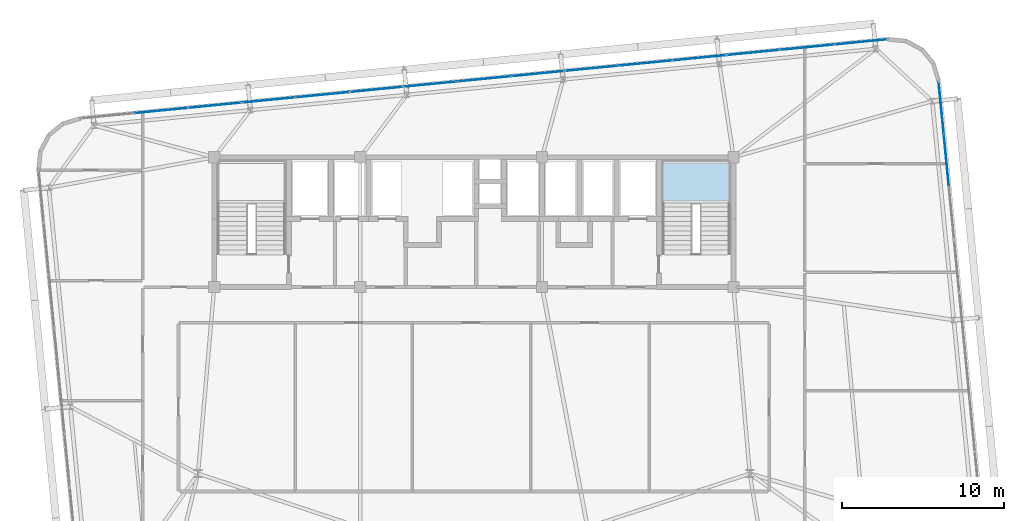
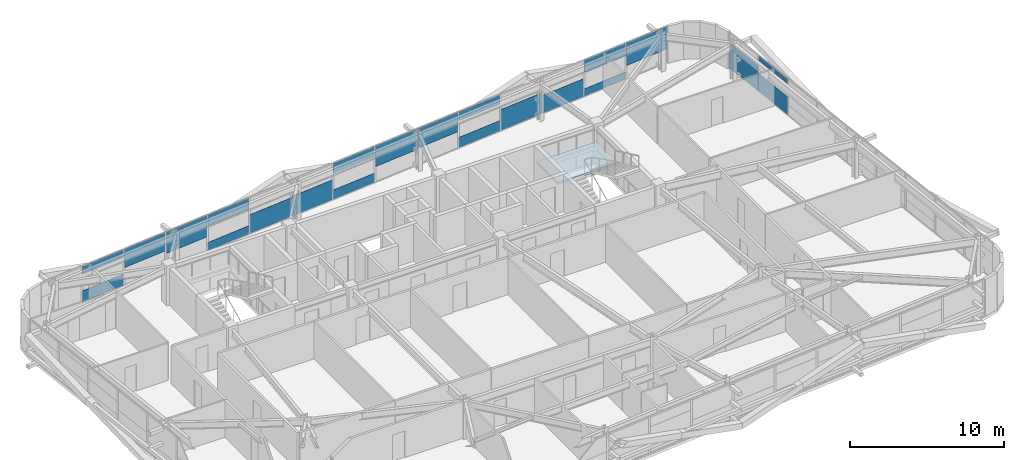
# One storey, part 37 of 52: 22 plates, 1 slab, 3 elements without a shape of their own.
"""IFC4 building model written with IfcOpenShell, lengths in metres."""

import ifcopenshell
import ifcopenshell.guid

model = None  # the IFC model being written
_history = None  # IfcOwnerHistory: only IFC2X3 demands one
_inside = {}  # id of a spatial element -> (the spatial element, [elements in it])
_under = {}  # id of a project, library or spatial element -> (it, [spatial elements below it])
_declared = {}  # id of a project -> (the project, [libraries it declares])
_typed = {}  # id of a type object -> (the type object, [elements of that type])
_made_of = {}  # id of a material, layer set ... -> (it, [elements and type objects made of it])


def new_model(schema):
    """Start an empty IFC model of exactly this schema.

    Asked for "IFC4X3", IfcOpenShell would pick the latest addendum, in which some entities
    have other attributes; the version numbers below select the first issue.
    IFC2X3 requires an IfcOwnerHistory on every rooted entity: one is made here for all.
    """
    global model, _history
    if schema == "IFC4X3":
        model = ifcopenshell.file(schema_version=(4, 3, 0, 0))
    else:
        model = ifcopenshell.file(schema=schema)
    _inside.clear()
    _under.clear()
    _declared.clear()
    _typed.clear()
    _made_of.clear()
    _history = None
    if model.schema == "IFC2X3":
        org = make("IfcOrganization", Name="unknown")
        user = make(
            "IfcPersonAndOrganization",
            ThePerson=make("IfcPerson", FamilyName="unknown"),
            TheOrganization=org,
        )
        app = make(
            "IfcApplication",
            ApplicationDeveloper=org,
            Version="unknown",
            ApplicationFullName="unknown",
            ApplicationIdentifier="unknown",
        )
        _history = make(
            "IfcOwnerHistory",
            OwningUser=user,
            OwningApplication=app,
            ChangeAction="ADDED",
            CreationDate=0,
        )
    return model


def make(cls, **values):
    """One entity of the class cls with the attributes given. An attribute that is None is left unset."""
    return model.create_entity(
        cls, **{name: value for name, value in values.items() if value is not None}
    )


def rooted(cls, **values):
    """An entity with a GlobalId (a new one), such as an element, a storey or a relation."""
    return make(cls, GlobalId=ifcopenshell.guid.new(), OwnerHistory=_history, **values)


def si_unit(unit_type, name, prefix=None):
    """IfcSIUnit, for example si_unit("LENGTHUNIT", "METRE", prefix="MILLI")."""
    return make("IfcSIUnit", UnitType=unit_type, Prefix=prefix, Name=name)


def assignment(units):
    """IfcUnitAssignment: the units of a project."""
    return None if units is None else make("IfcUnitAssignment", Units=units)


def point(xyz):
    """IfcCartesianPoint."""
    return None if xyz is None else make("IfcCartesianPoint", Coordinates=xyz)


def direction(xyz):
    """IfcDirection."""
    return None if xyz is None else make("IfcDirection", DirectionRatios=xyz)


def frame(location, z_axis=None, x_axis=None):
    """IfcAxis2Placement3D, a coordinate frame: its origin and axes. An axis left out is left unset."""
    return make(
        "IfcAxis2Placement3D",
        Location=point(location),
        Axis=direction(z_axis),
        RefDirection=direction(x_axis),
    )


def frame_2d(location, x_axis=None):
    """IfcAxis2Placement2D, a coordinate frame in the plane: its origin and x axis."""
    return make(
        "IfcAxis2Placement2D", Location=point(location), RefDirection=direction(x_axis)
    )


def origin():
    """The frame at (0, 0, 0) with its axes left unset."""
    return frame((0.0, 0.0, 0.0))


def origin_2d():
    """The frame at (0, 0) in the plane with its x axis left unset."""
    return frame_2d((0.0, 0.0))


def place(relative_to, where):
    """IfcLocalPlacement: puts the frame where relative to a parent placement (None: the world)."""
    return make(
        "IfcLocalPlacement", PlacementRelTo=relative_to, RelativePlacement=where
    )


def context(
    kind, dimensions, precision=None, world=None, true_north=None, identifier=None
):
    """IfcGeometricRepresentationContext, for example the 3D "Model" context."""
    return make(
        "IfcGeometricRepresentationContext",
        ContextIdentifier=identifier,
        ContextType=kind,
        CoordinateSpaceDimension=dimensions,
        Precision=precision,
        WorldCoordinateSystem=world,
        TrueNorth=true_north,
    )


def subcontext(parent, identifier, kind, view, scale=None):
    """IfcGeometricRepresentationSubContext, for example "Body" below "Model"."""
    return make(
        "IfcGeometricRepresentationSubContext",
        ContextIdentifier=identifier,
        ContextType=kind,
        ParentContext=parent,
        TargetScale=scale,
        TargetView=view,
    )


def project(units=None, contexts=None):
    """IfcProject with its units and contexts."""
    return rooted(
        "IfcProject",
        Name="project",
        RepresentationContexts=contexts,
        UnitsInContext=assignment(units),
    )


def spatial(cls, under=None, at=None, **own):
    """A site, building, storey or space (cls), placed at a placement, below another one or the project."""
    s = rooted(cls, ObjectPlacement=at, **own)
    if under is not None:
        _under.setdefault(under.id(), (under, []))[1].append(s)
    return s


def polyline(points):
    """IfcPolyline through the points."""
    return make("IfcPolyline", Points=[point(p) for p in points])


def profile(cls, at=None, kind="AREA", **sizes):
    """A parametric profile (cls). Its sizes go by their IFC names, for example OverallWidth=200.0."""
    return make(cls, ProfileType=kind, Position=at, **sizes)


def rectangle(**sizes):
    """IfcRectangleProfileDef."""
    return profile("IfcRectangleProfileDef", **sizes)


def outline(outer, holes=None, kind="AREA"):
    """IfcArbitraryClosedProfileDef: a profile drawn as a closed curve; with holes, ...WithVoids."""
    if holes is None:
        return make("IfcArbitraryClosedProfileDef", ProfileType=kind, OuterCurve=outer)
    return make(
        "IfcArbitraryProfileDefWithVoids",
        ProfileType=kind,
        OuterCurve=outer,
        InnerCurves=holes,
    )


def extrude(swept, where, along, depth):
    """IfcExtrudedAreaSolid: the profile swept, set in the frame where, extruded along a direction by depth."""
    return make(
        "IfcExtrudedAreaSolid",
        SweptArea=swept,
        Position=where,
        ExtrudedDirection=direction(along),
        Depth=depth,
    )


def shape(context_of_items, identifier, shape_type, items):
    """IfcShapeRepresentation: the items that make up one representation, for example the "Body"."""
    return make(
        "IfcShapeRepresentation",
        ContextOfItems=context_of_items,
        RepresentationIdentifier=identifier,
        RepresentationType=shape_type,
        Items=items,
    )


def source(mapping_origin, context_of_items, identifier, shape_type, items):
    """IfcRepresentationMap: a shape defined once, which mapped items show again and again."""
    return make(
        "IfcRepresentationMap",
        MappingOrigin=mapping_origin,
        MappedRepresentation=shape(context_of_items, identifier, shape_type, items),
    )


def transform(
    local_origin,
    x_axis=None,
    y_axis=None,
    z_axis=None,
    scale=None,
    scale2=None,
    scale3=None,
    uniform=True,
):
    """IfcCartesianTransformationOperator3D, or its non-uniform kind. x_axis, y_axis, z_axis: its Axis1, 2, 3."""
    if uniform:
        return make(
            "IfcCartesianTransformationOperator3D",
            Axis1=direction(x_axis),
            Axis2=direction(y_axis),
            LocalOrigin=point(local_origin),
            Scale=scale,
            Axis3=direction(z_axis),
        )
    return make(
        "IfcCartesianTransformationOperator3DnonUniform",
        Axis1=direction(x_axis),
        Axis2=direction(y_axis),
        LocalOrigin=point(local_origin),
        Scale=scale,
        Axis3=direction(z_axis),
        Scale2=scale2,
        Scale3=scale3,
    )


def mapped(mapping_source, mapping_target):
    """IfcMappedItem: shows the shape of a source again, moved by a transform."""
    return make(
        "IfcMappedItem", MappingSource=mapping_source, MappingTarget=mapping_target
    )


def material(Name=None, Category=None):
    """IfcMaterial."""
    return make("IfcMaterial", Name=Name, Category=Category)


def layer(
    of_material, thickness, ventilated=None, Name=None, Category=None, Priority=None
):
    """IfcMaterialLayer: one layer of a wall or slab, of a material (None: an air gap)."""
    return make(
        "IfcMaterialLayer",
        Material=of_material,
        LayerThickness=thickness,
        IsVentilated=ventilated,
        Name=Name,
        Category=Category,
        Priority=Priority,
    )


def layer_set(layers, Name=None):
    """IfcMaterialLayerSet."""
    return make("IfcMaterialLayerSet", MaterialLayers=layers, LayerSetName=Name)


def made_of(thing, what):
    """Note that an element or type object is made of a material, layer set ...; save() writes the relation."""
    if what is not None:
        _made_of.setdefault(what.id(), (what, []))[1].append(thing)
    return thing


def type_object(cls, material=None, **own):
    """A type object (cls), such as IfcWallType, which elements share."""
    return made_of(rooted(cls, **own), material)


def element(
    cls,
    number,
    at=None,
    inside=None,
    cuts=None,
    type_object=None,
    material=None,
    context=None,
    identifier="Body",
    shape_type=None,
    held_by="IfcProductDefinitionShape",
    body=None,
    shapes=None,
    **own,
):
    """One element of the class cls, such as IfcWall. Its Tag is "e" and its number.

    at: its placement. inside: the storey or other place that contains it. cuts: it is an
    opening in that element (IfcRelVoidsElement). A single representation is given by context,
    identifier, shape_type and body (its items); several are given by shapes. held_by: the class
    of the entity that holds the representations. save() writes the other relations.
    """
    e = rooted(cls, Tag="e%d" % number, ObjectPlacement=at, **own)
    if body is not None:
        shapes = [shape(context, identifier, shape_type, body)]
    if shapes is not None:
        e.Representation = make(held_by, Representations=shapes)
    if inside is not None:
        _inside.setdefault(inside.id(), (inside, []))[1].append(e)
    if cuts is not None:
        rooted(
            "IfcRelVoidsElement", RelatingBuildingElement=cuts, RelatedOpeningElement=e
        )
    if type_object is not None:
        _typed.setdefault(type_object.id(), (type_object, []))[1].append(e)
    return made_of(e, material)


def aggregate(whole, parts):
    """IfcRelAggregates: a whole, such as a stair, and the parts it consists of."""
    return rooted("IfcRelAggregates", RelatingObject=whole, RelatedObjects=parts)


def save(model, path):
    """Write the relations noted so far, then the file.

    IfcRelAggregates (storeys below a building ...), IfcRelContainedInSpatialStructure (elements
    in a storey), IfcRelDefinesByType, IfcRelAssociatesMaterial and IfcRelDeclares: one each for
    every whole, place, type object, material and project.
    """
    for whole, parts in _under.values():
        aggregate(whole, parts)
    for where, things in _inside.values():
        rooted(
            "IfcRelContainedInSpatialStructure",
            RelatedElements=things,
            RelatingStructure=where,
        )
    for kind, things in _typed.values():
        rooted("IfcRelDefinesByType", RelatedObjects=things, RelatingType=kind)
    for what, things in _made_of.values():
        rooted("IfcRelAssociatesMaterial", RelatedObjects=things, RelatingMaterial=what)
    for by, libraries in _declared.values():
        rooted("IfcRelDeclares", RelatingContext=by, RelatedDefinitions=libraries)
    model.write(path)


model = new_model("IFC4")

# Units and contexts
model_context = context("Model", 3, precision=1e-05, world=origin(), true_north=direction((0.0, 1.0)))
body_context = subcontext(model_context, "Body", "Model", "MODEL_VIEW")
ifc_project = project(units=[si_unit("LENGTHUNIT", "METRE"), si_unit("AREAUNIT", "SQUARE_METRE"), si_unit("VOLUMEUNIT", "CUBIC_METRE"), si_unit("PLANEANGLEUNIT", "RADIAN"), si_unit("MASSUNIT", "GRAM", prefix="KILO")], contexts=[model_context])

# Site, building, storey
site_placement = place(None, origin())
site = spatial("IfcSite", under=ifc_project, at=site_placement, CompositionType="ELEMENT")
building_placement = place(site_placement, origin())
building = spatial("IfcBuilding", under=site, at=building_placement, Name="Taldren Reach Tower", CompositionType="ELEMENT")
storey_placement = place(building_placement, frame((0.0, 0.0, 96.60009765625)))
storey = spatial("IfcBuildingStorey", under=building, at=storey_placement, Name="L29", CompositionType="ELEMENT", Elevation=96.60009765625)

# Stair, slab
ifc_material_1 = material(Name="Concrete S50 (50 MPa)", Category="concrete")
stair_type = type_object("IfcStairType", Name="ST-HT-315", PredefinedType="HALF_TURN_STAIR", material=ifc_material_1)
stair_placement = place(storey_placement, origin())
stair = element("IfcStair", 1, at=stair_placement, inside=storey, type_object=stair_type, Name="Fire-isolated exit stair ST2 L29", PredefinedType="HALF_TURN_STAIR")
ifc_layer_1 = layer(ifc_material_1, 0.179931640625)
ifc_layer_set_1 = layer_set([ifc_layer_1], Name="Concrete S50 (50 MPa)")
slab_type = type_object("IfcSlabType", Name="SL-LAND-180", PredefinedType="LANDING", material=ifc_layer_set_1)
slab_placement = place(storey_placement, frame((0.0, 0.0, 1.39501953125)))
slab = element("IfcSlab", 2, at=slab_placement, type_object=slab_type, Name="ST2 landing 1", PredefinedType="LANDING", context=body_context, shape_type="SweptSolid", body=[
    extrude(outline(polyline([(46.43994140625, 29.135009765625), (50.9599609375, 29.135009765625), (50.9599609375, 31.8701171875), (46.43994140625, 31.8701171875), (46.43994140625, 29.135009765625)])), origin(), (0.0, 0.0, 1.0), 0.179931640625),
])
aggregate(stair, [slab])

# Curtain wall, plates
ifc_material_2 = material(Name="Aluminium and Low-E Glass Unitised System", Category="aluminium")
ifc_layer_2 = layer(ifc_material_2, 0.159912109375)
ifc_layer_set_2 = layer_set([ifc_layer_2], Name="Aluminium and Low-E Glass Unitised System")
curtain_wall_type = type_object("IfcCurtainWallType", Name="CW-SYS-3", PredefinedType="NOTDEFINED", material=ifc_layer_set_2)
curtain_wall_1_placement = place(storey_placement, origin())
curtain_wall_1 = element("IfcCurtainWall", 3, at=curtain_wall_1_placement, inside=storey, type_object=curtain_wall_type, Name="Unitised curtain wall CW-L29-N", PredefinedType="NOTDEFINED")
ifc_material_3 = material(Name="Solar-Control Double Glazed IGU", Category="glass")
ifc_layer_3 = layer(ifc_material_3, 0.031982421875)
ifc_layer_set_3 = layer_set([ifc_layer_3], Name="Solar-Control Double Glazed IGU")
plate_type = type_object("IfcPlateType", Name="CW-PNL-IGU32", PredefinedType="CURTAIN_PANEL", material=ifc_layer_set_3)
shared_shape_1 = source(origin(), body_context, "Body", "SweptSolid", [
    extrude(rectangle(XDim=3.268310546875, YDim=0.031982421875, at=origin_2d()), origin(), (0.0, 0.0, 1.0), 0.88818359375),
])
plate_1_placement = place(storey_placement, frame((15.72705078125, 34.874267578125, 0.054931640625), z_axis=(0.0, 0.0, 1.0), x_axis=(-0.995227390247, -0.097582999046, 0.0)))
plate_1 = element("IfcPlate", 4, at=plate_1_placement, type_object=plate_type, Name="CW-3 panel 14.1 part 1", PredefinedType="CURTAIN_PANEL", context=body_context, shape_type="MappedRepresentation", body=[
    mapped(shared_shape_1, transform((0.0, 0.0, 0.0), scale=1.0)),
])
shared_shape_2 = source(origin(), body_context, "Body", "SweptSolid", [
    extrude(rectangle(XDim=3.268310546875, YDim=0.031982421875, at=origin_2d()), origin(), (0.0, 0.0, 1.0), 0.626953125),
])
plate_2_placement = place(storey_placement, frame((15.72705078125, 34.874267578125, 2.248046875), z_axis=(0.0, 0.0, 1.0), x_axis=(-0.995227390247, -0.097582999046, 0.0)))
plate_2 = element("IfcPlate", 5, at=plate_2_placement, type_object=plate_type, Name="CW-3 panel 14.1 part 2", PredefinedType="CURTAIN_PANEL", context=body_context, shape_type="MappedRepresentation", body=[
    mapped(shared_shape_2, transform((0.0, 0.0, 0.0), scale=1.0)),
])
shared_shape_3 = source(origin(), body_context, "Body", "SweptSolid", [
    extrude(rectangle(XDim=3.268310546875, YDim=0.031982421875, at=origin_2d()), origin(), (0.0, 0.0, 1.0), 1.4638671875),
])
plate_3_placement = place(storey_placement, frame((19.04443359375, 35.199462890625, 1.4111328125), z_axis=(0.0, 0.0, 1.0), x_axis=(-0.995227390247, -0.097582999046, 0.0)))
plate_3 = element("IfcPlate", 6, at=plate_3_placement, type_object=plate_type, Name="CW-3 panel 13.1 part 1", PredefinedType="CURTAIN_PANEL", context=body_context, shape_type="MappedRepresentation", body=[
    mapped(shared_shape_3, transform((0.0, 0.0, 0.0), scale=1.0)),
])
shared_shape_4 = source(origin(), body_context, "Body", "SweptSolid", [
    extrude(rectangle(XDim=3.268310546875, YDim=0.031982421875, at=origin_2d()), origin(), (0.0, 0.0, 1.0), 1.704833984375),
])
plate_4_placement = place(storey_placement, frame((22.36181640625, 35.52490234375, 1.169921875), z_axis=(0.0, 0.0, 1.0), x_axis=(-0.995227390247, -0.097582999046, 0.0)))
plate_4 = element("IfcPlate", 7, at=plate_4_placement, type_object=plate_type, Name="CW-3 panel 12.1 part 1", PredefinedType="CURTAIN_PANEL", context=body_context, shape_type="MappedRepresentation", body=[
    mapped(shared_shape_4, transform((0.0, 0.0, 0.0), scale=1.0)),
])
shared_shape_5 = source(origin(), body_context, "Body", "SweptSolid", [
    extrude(rectangle(XDim=3.268310546875, YDim=0.031982421875, at=origin_2d()), origin(), (0.0, 0.0, 1.0), 0.647216796875),
])
plate_5_placement = place(storey_placement, frame((25.67919921875, 35.85009765625, 0.05517578125), z_axis=(0.0, 0.0, 1.0), x_axis=(-0.995227390247, -0.097582999046, 0.0)))
plate_5 = element("IfcPlate", 8, at=plate_5_placement, type_object=plate_type, Name="CW-3 panel 11.1 part 1", PredefinedType="CURTAIN_PANEL", context=body_context, shape_type="MappedRepresentation", body=[
    mapped(shared_shape_5, transform((0.0, 0.0, 0.0), scale=1.0)),
])
shared_shape_6 = source(origin(), body_context, "Body", "SweptSolid", [
    extrude(rectangle(XDim=3.268310546875, YDim=0.031982421875, at=origin_2d()), origin(), (0.0, 0.0, 1.0), 0.867919921875),
])
plate_6_placement = place(storey_placement, frame((25.67919921875, 35.85009765625, 2.0068359375), z_axis=(0.0, 0.0, 1.0), x_axis=(-0.995227390247, -0.097582999046, 0.0)))
plate_6 = element("IfcPlate", 9, at=plate_6_placement, type_object=plate_type, Name="CW-3 panel 11.1 part 2", PredefinedType="CURTAIN_PANEL", context=body_context, shape_type="MappedRepresentation", body=[
    mapped(shared_shape_6, transform((0.0, 0.0, 0.0), scale=1.0)),
])
shared_shape_7 = source(origin(), body_context, "Body", "SweptSolid", [
    extrude(rectangle(XDim=3.268310546875, YDim=0.031982421875, at=origin_2d()), origin(), (0.0, 0.0, 1.0), 1.484130859375),
])
plate_7_placement = place(storey_placement, frame((28.996826171875, 36.17529296875, 0.0546875), z_axis=(0.0, 0.0, 1.0), x_axis=(-0.995227390247, -0.097582999046, 0.0)))
plate_7 = element("IfcPlate", 10, at=plate_7_placement, type_object=plate_type, Name="CW-3 panel 10.1 part 1", PredefinedType="CURTAIN_PANEL", context=body_context, shape_type="MappedRepresentation", body=[
    mapped(shared_shape_7, transform((0.0, 0.0, 0.0), scale=1.0)),
])
shared_shape_8 = source(origin(), body_context, "Body", "SweptSolid", [
    extrude(rectangle(XDim=3.268310546875, YDim=0.031982421875, at=origin_2d()), origin(), (0.0, 0.0, 1.0), 1.564453125),
])
plate_8_placement = place(storey_placement, frame((32.314208984375, 36.500732421875, 0.054931640625), z_axis=(0.0, 0.0, 1.0), x_axis=(-0.995227390247, -0.097582999046, 0.0)))
plate_8 = element("IfcPlate", 11, at=plate_8_placement, type_object=plate_type, Name="CW-3 panel 9.1 part 1", PredefinedType="CURTAIN_PANEL", context=body_context, shape_type="MappedRepresentation", body=[
    mapped(shared_shape_8, transform((0.0, 0.0, 0.0), scale=1.0)),
])
shared_shape_9 = source(origin(), body_context, "Body", "SweptSolid", [
    extrude(rectangle(XDim=3.268310546875, YDim=0.031982421875, at=origin_2d()), origin(), (0.0, 0.0, 1.0), 0.7275390625),
])
plate_9_placement = place(storey_placement, frame((35.631591796875, 36.825927734375, 0.054931640625), z_axis=(0.0, 0.0, 1.0), x_axis=(-0.995227390247, -0.097582999046, 0.0)))
plate_9 = element("IfcPlate", 12, at=plate_9_placement, type_object=plate_type, Name="CW-3 panel 8.1 part 1", PredefinedType="CURTAIN_PANEL", context=body_context, shape_type="MappedRepresentation", body=[
    mapped(shared_shape_9, transform((0.0, 0.0, 0.0), scale=1.0)),
])
shared_shape_10 = source(origin(), body_context, "Body", "SweptSolid", [
    extrude(rectangle(XDim=3.268310546875, YDim=0.031982421875, at=origin_2d()), origin(), (0.0, 0.0, 1.0), 0.78759765625),
])
plate_10_placement = place(storey_placement, frame((35.631591796875, 36.825927734375, 2.08740234375), z_axis=(0.0, 0.0, 1.0), x_axis=(-0.995227390247, -0.097582999046, 0.0)))
plate_10 = element("IfcPlate", 13, at=plate_10_placement, type_object=plate_type, Name="CW-3 panel 8.1 part 2", PredefinedType="CURTAIN_PANEL", context=body_context, shape_type="MappedRepresentation", body=[
    mapped(shared_shape_10, transform((0.0, 0.0, 0.0), scale=1.0)),
])
shared_shape_11 = source(origin(), body_context, "Body", "SweptSolid", [
    extrude(rectangle(XDim=3.268310546875, YDim=0.031982421875, at=origin_2d()), origin(), (0.0, 0.0, 1.0), 1.62451171875),
])
plate_11_placement = place(storey_placement, frame((38.948974609375, 37.151123046875, 1.25048828125), z_axis=(0.0, 0.0, 1.0), x_axis=(-0.995227390247, -0.097582999046, 0.0)))
plate_11 = element("IfcPlate", 14, at=plate_11_placement, type_object=plate_type, Name="CW-3 panel 7.1 part 1", PredefinedType="CURTAIN_PANEL", context=body_context, shape_type="MappedRepresentation", body=[
    mapped(shared_shape_11, transform((0.0, 0.0, 0.0), scale=1.0)),
])
shared_shape_12 = source(origin(), body_context, "Body", "SweptSolid", [
    extrude(rectangle(XDim=3.268310546875, YDim=0.031982421875, at=origin_2d()), origin(), (0.0, 0.0, 1.0), 1.544189453125),
])
plate_12_placement = place(storey_placement, frame((42.266357421875, 37.4765625, 1.33056640625), z_axis=(0.0, 0.0, 1.0), x_axis=(-0.995227390247, -0.097582999046, 0.0)))
plate_12 = element("IfcPlate", 15, at=plate_12_placement, type_object=plate_type, Name="CW-3 panel 6.1 part 1", PredefinedType="CURTAIN_PANEL", context=body_context, shape_type="MappedRepresentation", body=[
    mapped(shared_shape_12, transform((0.0, 0.0, 0.0), scale=1.0)),
])
shared_shape_13 = source(origin(), body_context, "Body", "SweptSolid", [
    extrude(rectangle(XDim=3.268310546875, YDim=0.031982421875, at=origin_2d()), origin(), (0.0, 0.0, 1.0), 0.807861328125),
])
plate_13_placement = place(storey_placement, frame((45.583740234375, 37.8017578125, 0.05517578125), z_axis=(0.0, 0.0, 1.0), x_axis=(-0.995227390247, -0.097582999046, 0.0)))
plate_13 = element("IfcPlate", 16, at=plate_13_placement, type_object=plate_type, Name="CW-3 panel 5.1 part 1", PredefinedType="CURTAIN_PANEL", context=body_context, shape_type="MappedRepresentation", body=[
    mapped(shared_shape_13, transform((0.0, 0.0, 0.0), scale=1.0)),
])
shared_shape_14 = source(origin(), body_context, "Body", "SweptSolid", [
    extrude(rectangle(XDim=3.268310546875, YDim=0.031982421875, at=origin_2d()), origin(), (0.0, 0.0, 1.0), 0.707275390625),
])
plate_14_placement = place(storey_placement, frame((45.583740234375, 37.8017578125, 2.16748046875), z_axis=(0.0, 0.0, 1.0), x_axis=(-0.995227390247, -0.097582999046, 0.0)))
plate_14 = element("IfcPlate", 17, at=plate_14_placement, type_object=plate_type, Name="CW-3 panel 5.1 part 2", PredefinedType="CURTAIN_PANEL", context=body_context, shape_type="MappedRepresentation", body=[
    mapped(shared_shape_14, transform((0.0, 0.0, 0.0), scale=1.0)),
])
shared_shape_15 = source(origin(), body_context, "Body", "SweptSolid", [
    extrude(rectangle(XDim=3.268310546875, YDim=0.031982421875, at=origin_2d()), origin(), (0.0, 0.0, 1.0), 1.644775390625),
])
plate_15_placement = place(storey_placement, frame((48.9013671875, 38.126953125, 0.0546875), z_axis=(0.0, 0.0, 1.0), x_axis=(-0.995227390247, -0.097582999046, 0.0)))
plate_15 = element("IfcPlate", 18, at=plate_15_placement, type_object=plate_type, Name="CW-3 panel 4.1 part 1", PredefinedType="CURTAIN_PANEL", context=body_context, shape_type="MappedRepresentation", body=[
    mapped(shared_shape_15, transform((0.0, 0.0, 0.0), scale=1.0)),
])
shared_shape_16 = source(origin(), body_context, "Body", "SweptSolid", [
    extrude(rectangle(XDim=3.268310546875, YDim=0.031982421875, at=origin_2d()), origin(), (0.0, 0.0, 1.0), 1.40380859375),
])
plate_16_placement = place(storey_placement, frame((52.21875, 38.452392578125, 0.054931640625), z_axis=(0.0, 0.0, 1.0), x_axis=(-0.995227390247, -0.097582999046, 0.0)))
plate_16 = element("IfcPlate", 19, at=plate_16_placement, type_object=plate_type, Name="CW-3 panel 3.1 part 1", PredefinedType="CURTAIN_PANEL", context=body_context, shape_type="MappedRepresentation", body=[
    mapped(shared_shape_16, transform((0.0, 0.0, 0.0), scale=1.0)),
])
shared_shape_17 = source(origin(), body_context, "Body", "SweptSolid", [
    extrude(rectangle(XDim=3.268310546875, YDim=0.031982421875, at=origin_2d()), origin(), (0.0, 0.0, 1.0), 0.56689453125),
])
plate_17_placement = place(storey_placement, frame((55.5361328125, 38.777587890625, 0.054931640625), z_axis=(0.0, 0.0, 1.0), x_axis=(-0.995227390247, -0.097582999046, 0.0)))
plate_17 = element("IfcPlate", 20, at=plate_17_placement, type_object=plate_type, Name="CW-3 panel 2.1 part 1", PredefinedType="CURTAIN_PANEL", context=body_context, shape_type="MappedRepresentation", body=[
    mapped(shared_shape_17, transform((0.0, 0.0, 0.0), scale=1.0)),
])
shared_shape_18 = source(origin(), body_context, "Body", "SweptSolid", [
    extrude(rectangle(XDim=3.268310546875, YDim=0.031982421875, at=origin_2d()), origin(), (0.0, 0.0, 1.0), 0.9482421875),
])
plate_18_placement = place(storey_placement, frame((55.5361328125, 38.777587890625, 1.926513671875), z_axis=(0.0, 0.0, 1.0), x_axis=(-0.995227390247, -0.097582999046, 0.0)))
plate_18 = element("IfcPlate", 21, at=plate_18_placement, type_object=plate_type, Name="CW-3 panel 2.1 part 2", PredefinedType="CURTAIN_PANEL", context=body_context, shape_type="MappedRepresentation", body=[
    mapped(shared_shape_18, transform((0.0, 0.0, 0.0), scale=1.0)),
])
shared_shape_19 = source(origin(), body_context, "Body", "SweptSolid", [
    extrude(rectangle(XDim=3.23583984375, YDim=0.031982421875, at=origin_2d()), origin(), (0.0, 0.0, 1.0), 1.78515625),
])
plate_19_placement = place(storey_placement, frame((58.83740234375, 39.101318359375, 1.08984375), z_axis=(0.0, 0.0, 1.0), x_axis=(-0.995227390247, -0.097582999046, 0.0)))
plate_19 = element("IfcPlate", 22, at=plate_19_placement, type_object=plate_type, Name="CW-3 panel 1.1 part 1", PredefinedType="CURTAIN_PANEL", context=body_context, shape_type="MappedRepresentation", body=[
    mapped(shared_shape_19, transform((0.0, 0.0, 0.0), scale=1.0)),
])
aggregate(curtain_wall_1, [plate_19, plate_17, plate_18, plate_16, plate_15, plate_13, plate_14, plate_12, plate_11, plate_9, plate_10, plate_8, plate_7, plate_5, plate_6, plate_4, plate_3, plate_1, plate_2])

curtain_wall_2_placement = place(storey_placement, origin())
curtain_wall_2 = element("IfcCurtainWall", 23, at=curtain_wall_2_placement, inside=storey, type_object=curtain_wall_type, Name="Unitised curtain wall CW-L29-E", PredefinedType="NOTDEFINED")
shared_shape_20 = source(origin(), body_context, "Body", "SweptSolid", [
    extrude(rectangle(XDim=3.18017578125, YDim=0.031982421875, at=origin_2d()), origin(), (0.0, 0.0, 1.0), 1.989501953125),
])
plate_20_placement = place(storey_placement, frame((63.79931640625, 35.051025390625, 0.0546875), z_axis=(0.0, 0.0, 1.0), x_axis=(-0.09758274098, 0.99522741555, 0.0)))
plate_20 = element("IfcPlate", 24, at=plate_20_placement, type_object=plate_type, Name="CW-3 panel 9.1 part 1", PredefinedType="CURTAIN_PANEL", context=body_context, shape_type="MappedRepresentation", body=[
    mapped(shared_shape_20, transform((0.0, 0.0, 0.0), scale=1.0)),
])
shared_shape_21 = source(origin(), body_context, "Body", "SweptSolid", [
    extrude(rectangle(XDim=3.212890625, YDim=0.031982421875, at=origin_2d()), origin(), (0.0, 0.0, 1.0), 1.401611328125),
])
plate_21_placement = place(storey_placement, frame((64.117431640625, 31.80517578125, 0.05517578125), z_axis=(0.0, 0.0, 1.0), x_axis=(-0.09758274098, 0.99522741555, 0.0)))
plate_21 = element("IfcPlate", 25, at=plate_21_placement, type_object=plate_type, Name="CW-3 panel 8.1 part 1", PredefinedType="CURTAIN_PANEL", context=body_context, shape_type="MappedRepresentation", body=[
    mapped(shared_shape_21, transform((0.0, 0.0, 0.0), scale=1.0)),
])
shared_shape_22 = source(origin(), body_context, "Body", "SweptSolid", [
    extrude(rectangle(XDim=3.212890625, YDim=0.031982421875, at=origin_2d()), origin(), (0.0, 0.0, 1.0), 0.36474609375),
])
plate_22_placement = place(storey_placement, frame((64.117431640625, 31.80517578125, 2.51025390625), z_axis=(0.0, 0.0, 1.0), x_axis=(-0.09758274098, 0.99522741555, 0.0)))
plate_22 = element("IfcPlate", 26, at=plate_22_placement, type_object=plate_type, Name="CW-3 panel 8.1 part 2", PredefinedType="CURTAIN_PANEL", context=body_context, shape_type="MappedRepresentation", body=[
    mapped(shared_shape_22, transform((0.0, 0.0, 0.0), scale=1.0)),
])
aggregate(curtain_wall_2, [plate_21, plate_22, plate_20])

save(model, "model.ifc")
